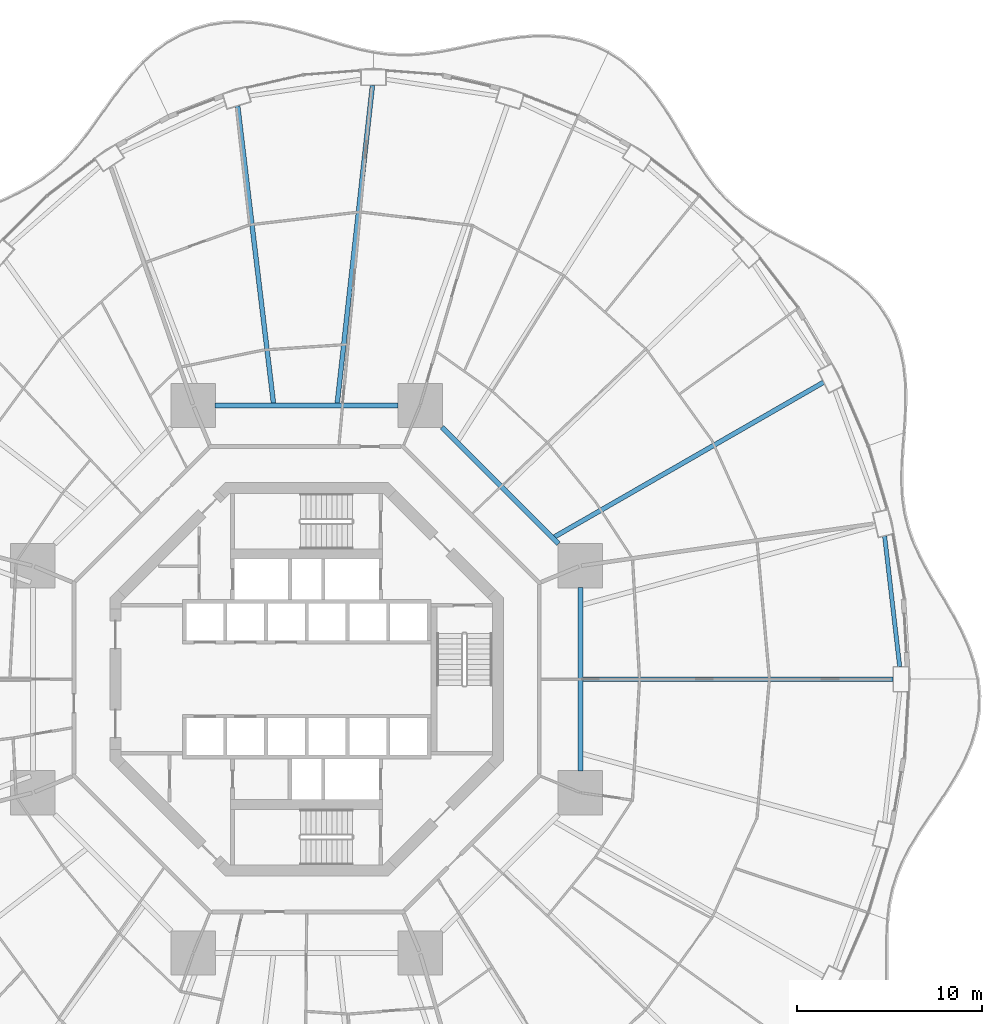
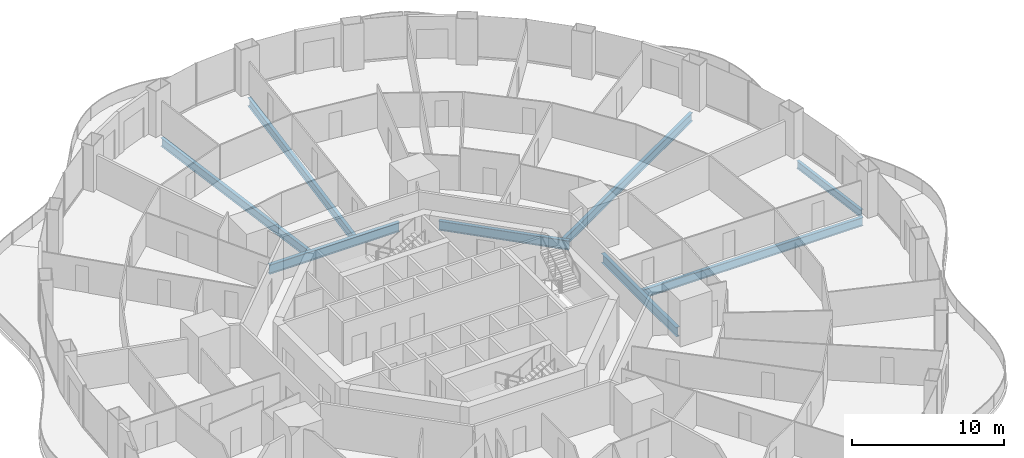
# One storey, part 8 of 23: 8 beams.
"""IFC4 building model written with IfcOpenShell, lengths in metres."""

from ifc_helpers import new_model, si_unit, direction, frame, origin, origin_2d, place, context, subcontext, project, spatial, i_section, extrude, material, material_profile, profile_set, type_object, element, save


model = new_model("IFC4")

# Units and contexts
model_context = context("Model", 3, precision=1e-05, world=origin(), true_north=direction((0.0, 1.0)))
body_context = subcontext(model_context, "Body", "Model", "MODEL_VIEW")
ifc_project = project(units=[si_unit("LENGTHUNIT", "METRE"), si_unit("AREAUNIT", "SQUARE_METRE"), si_unit("VOLUMEUNIT", "CUBIC_METRE"), si_unit("PLANEANGLEUNIT", "RADIAN"), si_unit("MASSUNIT", "GRAM", prefix="KILO")], contexts=[model_context])

# Site, building, storey
site_placement = place(None, origin())
site = spatial("IfcSite", under=ifc_project, at=site_placement, CompositionType="ELEMENT")
building_placement = place(site_placement, origin())
building = spatial("IfcBuilding", under=site, at=building_placement, Name="Nagisa Residences", CompositionType="ELEMENT")
storey_placement = place(building_placement, frame((0.0, 0.0, 56.60009765625)))
storey = spatial("IfcBuildingStorey", under=building, at=storey_placement, Name="L13", CompositionType="ELEMENT", Elevation=56.60009765625)

# Beams
ifc_material_1 = material(Name="Steel ASTM A572 Gr 50", Category="steel")
ifc_material_profile_1 = material_profile(ifc_material_1, i_section(OverallWidth=0.264892578125, OverallDepth=0.7529296875, WebThickness=0.01318359375, FlangeThickness=0.01708984375, at=origin_2d()), Name="W760x147")
ifc_profile_set_1 = profile_set([ifc_material_profile_1], Name="Steel ASTM A572 Gr 50")
beam_type_1 = type_object("IfcBeamType", Name="Inner ring beam W760x147", PredefinedType="BEAM", material=ifc_profile_set_1)
beam_1_placement = place(storey_placement, frame((13.59619140625, 7.308837890625, -0.63671875), z_axis=(-0.707106781187, 0.707106781187, 0.0), x_axis=(-0.707106781187, -0.707106781187, 0.0)))
element("IfcBeam", 1, at=beam_1_placement, inside=storey, type_object=beam_type_1, Name="beam:L13:ib1", PredefinedType="BEAM", context=body_context, shape_type="SweptSolid", body=[
    extrude(i_section(OverallWidth=0.264892578125, OverallDepth=0.7529296875, WebThickness=0.01318359375, FlangeThickness=0.01708984375, at=origin_2d()), origin(), (0.0, 0.0, 1.0), 8.8916015625),
])
for number, where, z_axis, x_axis, name in (
    (2, (4.94287109375, 14.781982421875, -0.63671875), (-1.0, 0.0, 0.0), (0.0, -1.0, 0.0), "beam:L13:ib2"),
    (3, (14.781982421875, -4.94287109375, -0.63671875), (0.0, 1.0, 0.0), (-1.0, 0.0, 0.0), "beam:L13:ib8"),
):
    element("IfcBeam", number, at=place(storey_placement, frame(where, z_axis=z_axis, x_axis=x_axis)), inside=storey, type_object=beam_type_1, Name=name, PredefinedType="BEAM", context=body_context, shape_type="SweptSolid", body=[
        extrude(i_section(OverallWidth=0.264892578125, OverallDepth=0.7529296875, WebThickness=0.01318359375, FlangeThickness=0.01708984375, at=origin_2d()), origin(), (0.0, 0.0, 1.0), 9.8857421875),
    ])
ifc_material_2 = material(Name="Steel ASTM A572 Gr 50", Category="steel")
ifc_material_profile_2 = material_profile(ifc_material_2, i_section(OverallWidth=0.22802734375, OverallDepth=0.60302734375, WebThickness=0.010498046875, FlangeThickness=0.014892578125, at=origin_2d()), Name="W610x101")
ifc_profile_set_2 = profile_set([ifc_material_profile_2], Name="Steel ASTM A572 Gr 50")
beam_type_2 = type_object("IfcBeamType", Name="Perimeter ring beam W610x101", PredefinedType="BEAM", material=ifc_profile_set_2)
beam_2_placement = place(storey_placement, frame((32.021484375, 0.68017578125, -0.5615234375), z_axis=(-0.114673717321, 0.993403210462, 0.0), x_axis=(-0.993403210462, -0.114673717321, 0.0)))
element("IfcBeam", 4, at=beam_2_placement, inside=storey, type_object=beam_type_2, Name="beam:L13:pb01", PredefinedType="BEAM", context=body_context, shape_type="SweptSolid", body=[
    extrude(i_section(OverallWidth=0.22802734375, OverallDepth=0.60302734375, WebThickness=0.010498046875, FlangeThickness=0.014892578125, at=origin_2d()), origin(), (0.0, 0.0, 1.0), 7.09814453125),
])
ifc_material_3 = material(Name="Steel ASTM A572 Gr 50", Category="steel")
ifc_material_profile_3 = material_profile(ifc_material_3, i_section(OverallWidth=0.25390625, OverallDepth=0.68408203125, WebThickness=0.012451171875, FlangeThickness=0.018798828125, at=origin_2d()), Name="W690x140")
ifc_profile_set_3 = profile_set([ifc_material_profile_3], Name="Steel ASTM A572 Gr 50")
beam_type_3 = type_object("IfcBeamType", Name="Radial beam W690x140", PredefinedType="BEAM", material=ifc_profile_set_3)
beam_3_placement = place(storey_placement, frame((31.669921875, 0.0, -0.60205078125), z_axis=(-1.0, 0.0, 0.0), x_axis=(0.0, -1.0, 0.0)))
element("IfcBeam", 5, at=beam_3_placement, inside=storey, type_object=beam_type_3, Name="beam:L13:rb01", PredefinedType="BEAM", context=body_context, shape_type="SweptSolid", body=[
    extrude(i_section(OverallWidth=0.25390625, OverallDepth=0.68408203125, WebThickness=0.012451171875, FlangeThickness=0.018798828125, at=origin_2d()), origin(), (0.0, 0.0, 1.0), 16.775390625),
])
beam_4_placement = place(storey_placement, frame((27.908447265625, 16.035400390625, -0.60205078125), z_axis=(-0.867068052258, -0.498189715623, 0.0), x_axis=(0.498189715623, -0.867068052258, 0.0)))
element("IfcBeam", 6, at=beam_4_placement, inside=storey, type_object=beam_type_3, Name="beam:L13:rb03", PredefinedType="BEAM", context=body_context, shape_type="SweptSolid", body=[
    extrude(i_section(OverallWidth=0.25390625, OverallDepth=0.68408203125, WebThickness=0.012451171875, FlangeThickness=0.018798828125, at=origin_2d()), origin(), (0.0, 0.0, 1.0), 16.758056640625),
])
beam_5_placement = place(storey_placement, frame((3.55224609375, 32.06982421875, -0.60205078125), z_axis=(-0.110088818647, -0.993921753464, 0.0), x_axis=(0.993921753464, -0.110088818647, 0.0)))
element("IfcBeam", 7, at=beam_5_placement, inside=storey, type_object=beam_type_3, Name="beam:L13:rb07", PredefinedType="BEAM", context=body_context, shape_type="SweptSolid", body=[
    extrude(i_section(OverallWidth=0.25390625, OverallDepth=0.68408203125, WebThickness=0.012451171875, FlangeThickness=0.018798828125, at=origin_2d()), origin(), (0.0, 0.0, 1.0), 17.280029296875),
])
beam_6_placement = place(storey_placement, frame((-3.72412109375, 30.958740234375, -0.60205078125), z_axis=(0.119431411612, -0.992842453726, 0.0), x_axis=(0.992842453726, 0.119431411612, 0.0)))
element("IfcBeam", 8, at=beam_6_placement, inside=storey, type_object=beam_type_3, Name="beam:L13:rb08", PredefinedType="BEAM", context=body_context, shape_type="SweptSolid", body=[
    extrude(i_section(OverallWidth=0.25390625, OverallDepth=0.68408203125, WebThickness=0.012451171875, FlangeThickness=0.018798828125, at=origin_2d()), origin(), (0.0, 0.0, 1.0), 16.1796875),
])

save(model, "model.ifc")
